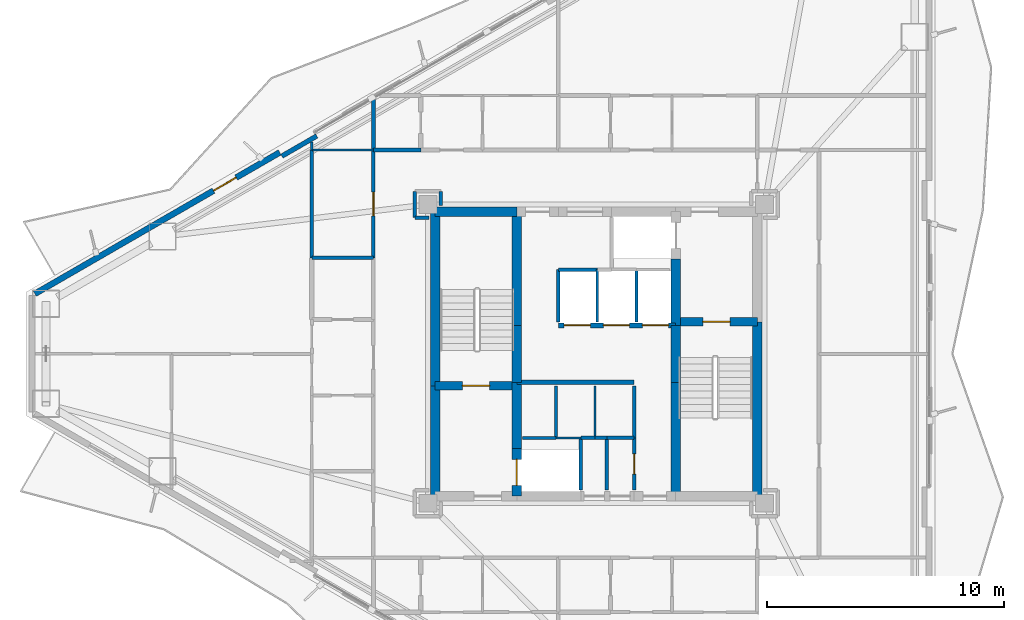
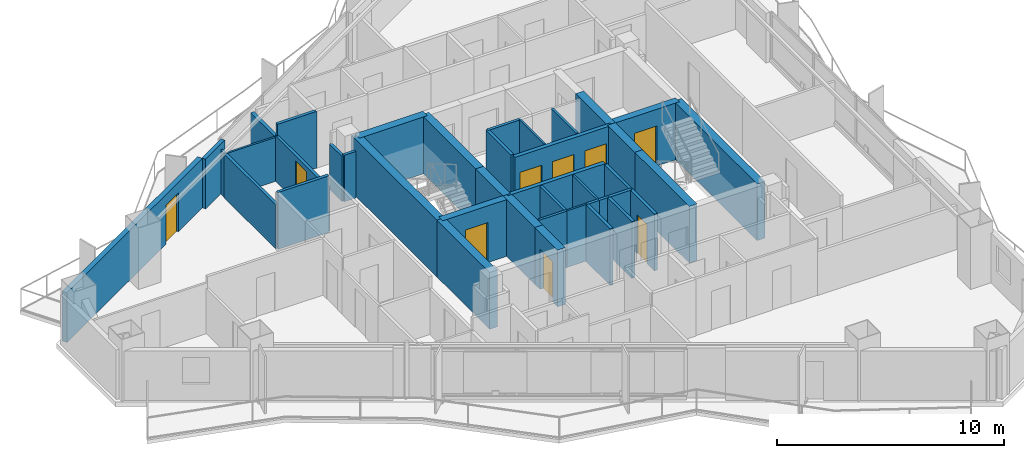
# One storey, part 17 of 22: 42 walls, 9 doors, 9 openings.
"""IFC4 building model written with IfcOpenShell, lengths in metres."""

import ifcopenshell
import ifcopenshell.guid

model = None  # the IFC model being written
_history = None  # IfcOwnerHistory: only IFC2X3 demands one
_inside = {}  # id of a spatial element -> (the spatial element, [elements in it])
_under = {}  # id of a project, library or spatial element -> (it, [spatial elements below it])
_declared = {}  # id of a project -> (the project, [libraries it declares])
_typed = {}  # id of a type object -> (the type object, [elements of that type])
_made_of = {}  # id of a material, layer set ... -> (it, [elements and type objects made of it])


def new_model(schema):
    """Start an empty IFC model of exactly this schema.

    Asked for "IFC4X3", IfcOpenShell would pick the latest addendum, in which some entities
    have other attributes; the version numbers below select the first issue.
    IFC2X3 requires an IfcOwnerHistory on every rooted entity: one is made here for all.
    """
    global model, _history
    if schema == "IFC4X3":
        model = ifcopenshell.file(schema_version=(4, 3, 0, 0))
    else:
        model = ifcopenshell.file(schema=schema)
    _inside.clear()
    _under.clear()
    _declared.clear()
    _typed.clear()
    _made_of.clear()
    _history = None
    if model.schema == "IFC2X3":
        org = make("IfcOrganization", Name="unknown")
        user = make(
            "IfcPersonAndOrganization",
            ThePerson=make("IfcPerson", FamilyName="unknown"),
            TheOrganization=org,
        )
        app = make(
            "IfcApplication",
            ApplicationDeveloper=org,
            Version="unknown",
            ApplicationFullName="unknown",
            ApplicationIdentifier="unknown",
        )
        _history = make(
            "IfcOwnerHistory",
            OwningUser=user,
            OwningApplication=app,
            ChangeAction="ADDED",
            CreationDate=0,
        )
    return model


def make(cls, **values):
    """One entity of the class cls with the attributes given. An attribute that is None is left unset."""
    return model.create_entity(
        cls, **{name: value for name, value in values.items() if value is not None}
    )


def rooted(cls, **values):
    """An entity with a GlobalId (a new one), such as an element, a storey or a relation."""
    return make(cls, GlobalId=ifcopenshell.guid.new(), OwnerHistory=_history, **values)


def si_unit(unit_type, name, prefix=None):
    """IfcSIUnit, for example si_unit("LENGTHUNIT", "METRE", prefix="MILLI")."""
    return make("IfcSIUnit", UnitType=unit_type, Prefix=prefix, Name=name)


def assignment(units):
    """IfcUnitAssignment: the units of a project."""
    return None if units is None else make("IfcUnitAssignment", Units=units)


def point(xyz):
    """IfcCartesianPoint."""
    return None if xyz is None else make("IfcCartesianPoint", Coordinates=xyz)


def direction(xyz):
    """IfcDirection."""
    return None if xyz is None else make("IfcDirection", DirectionRatios=xyz)


def frame(location, z_axis=None, x_axis=None):
    """IfcAxis2Placement3D, a coordinate frame: its origin and axes. An axis left out is left unset."""
    return make(
        "IfcAxis2Placement3D",
        Location=point(location),
        Axis=direction(z_axis),
        RefDirection=direction(x_axis),
    )


def frame_2d(location, x_axis=None):
    """IfcAxis2Placement2D, a coordinate frame in the plane: its origin and x axis."""
    return make(
        "IfcAxis2Placement2D", Location=point(location), RefDirection=direction(x_axis)
    )


def origin():
    """The frame at (0, 0, 0) with its axes left unset."""
    return frame((0.0, 0.0, 0.0))


def place(relative_to, where):
    """IfcLocalPlacement: puts the frame where relative to a parent placement (None: the world)."""
    return make(
        "IfcLocalPlacement", PlacementRelTo=relative_to, RelativePlacement=where
    )


def context(
    kind, dimensions, precision=None, world=None, true_north=None, identifier=None
):
    """IfcGeometricRepresentationContext, for example the 3D "Model" context."""
    return make(
        "IfcGeometricRepresentationContext",
        ContextIdentifier=identifier,
        ContextType=kind,
        CoordinateSpaceDimension=dimensions,
        Precision=precision,
        WorldCoordinateSystem=world,
        TrueNorth=true_north,
    )


def subcontext(parent, identifier, kind, view, scale=None):
    """IfcGeometricRepresentationSubContext, for example "Body" below "Model"."""
    return make(
        "IfcGeometricRepresentationSubContext",
        ContextIdentifier=identifier,
        ContextType=kind,
        ParentContext=parent,
        TargetScale=scale,
        TargetView=view,
    )


def project(units=None, contexts=None):
    """IfcProject with its units and contexts."""
    return rooted(
        "IfcProject",
        Name="project",
        RepresentationContexts=contexts,
        UnitsInContext=assignment(units),
    )


def spatial(cls, under=None, at=None, **own):
    """A site, building, storey or space (cls), placed at a placement, below another one or the project."""
    s = rooted(cls, ObjectPlacement=at, **own)
    if under is not None:
        _under.setdefault(under.id(), (under, []))[1].append(s)
    return s


def profile(cls, at=None, kind="AREA", **sizes):
    """A parametric profile (cls). Its sizes go by their IFC names, for example OverallWidth=200.0."""
    return make(cls, ProfileType=kind, Position=at, **sizes)


def rectangle(**sizes):
    """IfcRectangleProfileDef."""
    return profile("IfcRectangleProfileDef", **sizes)


def extrude(swept, where, along, depth):
    """IfcExtrudedAreaSolid: the profile swept, set in the frame where, extruded along a direction by depth."""
    return make(
        "IfcExtrudedAreaSolid",
        SweptArea=swept,
        Position=where,
        ExtrudedDirection=direction(along),
        Depth=depth,
    )


def shape(context_of_items, identifier, shape_type, items):
    """IfcShapeRepresentation: the items that make up one representation, for example the "Body"."""
    return make(
        "IfcShapeRepresentation",
        ContextOfItems=context_of_items,
        RepresentationIdentifier=identifier,
        RepresentationType=shape_type,
        Items=items,
    )


def material(Name=None, Category=None):
    """IfcMaterial."""
    return make("IfcMaterial", Name=Name, Category=Category)


def layer(
    of_material, thickness, ventilated=None, Name=None, Category=None, Priority=None
):
    """IfcMaterialLayer: one layer of a wall or slab, of a material (None: an air gap)."""
    return make(
        "IfcMaterialLayer",
        Material=of_material,
        LayerThickness=thickness,
        IsVentilated=ventilated,
        Name=Name,
        Category=Category,
        Priority=Priority,
    )


def layer_set(layers, Name=None):
    """IfcMaterialLayerSet."""
    return make("IfcMaterialLayerSet", MaterialLayers=layers, LayerSetName=Name)


def made_of(thing, what):
    """Note that an element or type object is made of a material, layer set ...; save() writes the relation."""
    if what is not None:
        _made_of.setdefault(what.id(), (what, []))[1].append(thing)
    return thing


def type_object(cls, material=None, **own):
    """A type object (cls), such as IfcWallType, which elements share."""
    return made_of(rooted(cls, **own), material)


def element(
    cls,
    number,
    at=None,
    inside=None,
    cuts=None,
    type_object=None,
    material=None,
    context=None,
    identifier="Body",
    shape_type=None,
    held_by="IfcProductDefinitionShape",
    body=None,
    shapes=None,
    **own,
):
    """One element of the class cls, such as IfcWall. Its Tag is "e" and its number.

    at: its placement. inside: the storey or other place that contains it. cuts: it is an
    opening in that element (IfcRelVoidsElement). A single representation is given by context,
    identifier, shape_type and body (its items); several are given by shapes. held_by: the class
    of the entity that holds the representations. save() writes the other relations.
    """
    e = rooted(cls, Tag="e%d" % number, ObjectPlacement=at, **own)
    if body is not None:
        shapes = [shape(context, identifier, shape_type, body)]
    if shapes is not None:
        e.Representation = make(held_by, Representations=shapes)
    if inside is not None:
        _inside.setdefault(inside.id(), (inside, []))[1].append(e)
    if cuts is not None:
        rooted(
            "IfcRelVoidsElement", RelatingBuildingElement=cuts, RelatedOpeningElement=e
        )
    if type_object is not None:
        _typed.setdefault(type_object.id(), (type_object, []))[1].append(e)
    return made_of(e, material)


def fill(opening, filler):
    """IfcRelFillsElement: the door or window that sits in an opening."""
    return rooted(
        "IfcRelFillsElement",
        RelatingOpeningElement=opening,
        RelatedBuildingElement=filler,
    )


def aggregate(whole, parts):
    """IfcRelAggregates: a whole, such as a stair, and the parts it consists of."""
    return rooted("IfcRelAggregates", RelatingObject=whole, RelatedObjects=parts)


def save(model, path):
    """Write the relations noted so far, then the file.

    IfcRelAggregates (storeys below a building ...), IfcRelContainedInSpatialStructure (elements
    in a storey), IfcRelDefinesByType, IfcRelAssociatesMaterial and IfcRelDeclares: one each for
    every whole, place, type object, material and project.
    """
    for whole, parts in _under.values():
        aggregate(whole, parts)
    for where, things in _inside.values():
        rooted(
            "IfcRelContainedInSpatialStructure",
            RelatedElements=things,
            RelatingStructure=where,
        )
    for kind, things in _typed.values():
        rooted("IfcRelDefinesByType", RelatedObjects=things, RelatingType=kind)
    for what, things in _made_of.values():
        rooted("IfcRelAssociatesMaterial", RelatedObjects=things, RelatingMaterial=what)
    for by, libraries in _declared.values():
        rooted("IfcRelDeclares", RelatingContext=by, RelatedDefinitions=libraries)
    model.write(path)


model = new_model("IFC4")

# Units and contexts
model_context = context("Model", 3, precision=1e-05, world=origin(), true_north=direction((0.0, 1.0)))
body_context = subcontext(model_context, "Body", "Model", "MODEL_VIEW")
ifc_project = project(units=[si_unit("LENGTHUNIT", "METRE"), si_unit("AREAUNIT", "SQUARE_METRE"), si_unit("VOLUMEUNIT", "CUBIC_METRE"), si_unit("PLANEANGLEUNIT", "RADIAN"), si_unit("MASSUNIT", "GRAM", prefix="KILO")], contexts=[model_context])

# Site, building, storey
site_placement = place(None, origin())
site = spatial("IfcSite", under=ifc_project, at=site_placement, CompositionType="ELEMENT")
building_placement = place(site_placement, origin())
building = spatial("IfcBuilding", under=site, at=building_placement, Name="Mersakhor Tower and Convention Hall", CompositionType="ELEMENT")
storey_placement = place(building_placement, frame((0.0, 0.0, 99.89990234375)))
storey = spatial("IfcBuildingStorey", under=building, at=storey_placement, Name="L27", CompositionType="ELEMENT", Elevation=99.89990234375)

# Wall, opening, door
ifc_material_1 = material(Name="Precast concrete C40/50", Category="concrete")
ifc_layer_1 = layer(ifc_material_1, 0.25)
ifc_layer_set_1 = layer_set([ifc_layer_1], Name="Precast concrete C40/50")
wall_type_1 = type_object("IfcWallType", Name="WL-EXT-250", PredefinedType="SOLIDWALL", material=ifc_layer_set_1)
wall_1_placement = place(storey_placement, frame((5.316650390625, 29.2822265625, 0.0), z_axis=(0.0, 0.0, 1.0), x_axis=(0.866023023012, 0.500004123596, 0.0)))
wall_1 = element("IfcWall", 1, at=wall_1_placement, inside=storey, type_object=wall_type_1, Name="L27 Exterior Facade Wall F1-B1", PredefinedType="SOLIDWALL", context=body_context, shape_type="SweptSolid", body=[
    extrude(rectangle(XDim=11.9296875, YDim=0.25, at=frame_2d((5.96484375, 0.0))), origin(), (0.0, 0.0, 1.0), 2.670166015625),
])
opening_1_placement = place(wall_1_placement, frame((8.7041015625, 0.0, 0.0)))
opening_1 = element("IfcOpeningElement", 2, at=opening_1_placement, cuts=wall_1, Name="Opening BD-02", PredefinedType="OPENING", context=body_context, shape_type="SweptSolid", body=[
    extrude(rectangle(XDim=1.10009765625, YDim=2.10009765625, at=frame_2d((0.550048828125, 1.050048828125))), frame((0.0, 0.135009765625, 0.0), z_axis=(0.0, -1.0, 0.0), x_axis=(1.0, 0.0, 0.0)), (0.0, 0.0, 1.0), 0.27001953125),
])
ifc_material_2 = material(Name="Thermally broken dark aluminium and safety glass", Category="aluminium")
door_type_1 = type_object("IfcDoorType", Name="DR-BAL-110x210", OperationType="NOTDEFINED", PredefinedType="DOOR", material=ifc_material_2)
door_1_placement = place(opening_1_placement, origin())
door_1 = element("IfcDoor", 3, at=door_1_placement, inside=storey, type_object=door_type_1, Name="L27 Balcony Terrace Door F1-B1", OperationType="SINGLE_SWING_RIGHT", OverallHeight=2.10009765625, OverallWidth=1.10009765625, PredefinedType="DOOR", context=body_context, shape_type="SweptSolid", body=[
    extrude(rectangle(XDim=1.10009765625, YDim=2.10009765625, at=frame_2d((0.550048828125, 1.050048828125))), frame((0.0, 0.02490234375, 0.0), z_axis=(0.0, -1.0, 0.0), x_axis=(1.0, 0.0, 0.0)), (0.0, 0.0, 1.0), 0.050048828125),
])
fill(opening_1, door_1)

# Walls
ifc_material_3 = material(Name="Precast concrete C40/50", Category="concrete")
ifc_layer_2 = layer(ifc_material_3, 0.199951171875)
ifc_layer_set_2 = layer_set([ifc_layer_2], Name="Precast concrete C40/50")
wall_type_2 = type_object("IfcWallType", Name="WL-PAR-200", PredefinedType="PARAPET", material=ifc_layer_set_2)
wall_2_placement = place(storey_placement, frame((15.73779296875, 35.091064453125, 0.0), z_axis=(0.0, 0.0, 1.0), x_axis=(0.866025371046, 0.500000056704, 0.0)))
element("IfcWall", 4, at=wall_2_placement, inside=storey, type_object=wall_type_2, Name="L27 Column Pier Cladding Wall F1-C1", PredefinedType="PARAPET", context=body_context, shape_type="SweptSolid", body=[
    extrude(rectangle(XDim=1.7001953125, YDim=0.199951171875, at=frame_2d((0.85009765625, 0.0))), origin(), (0.0, 0.0, 1.0), 2.670166015625),
])
ifc_material_4 = material(Name="Moisture-resistant acoustic drywall studwork", Category="other")
ifc_layer_3 = layer(ifc_material_4, 0.175048828125)
ifc_layer_set_3 = layer_set([ifc_layer_3], Name="Moisture-resistant acoustic drywall studwork")
wall_type_3 = type_object("IfcWallType", Name="WL-PLM-175", PredefinedType="PLUMBINGWALL", material=ifc_layer_set_3)
wall_3_placement = place(storey_placement, frame((19.60009765625, 35.35009765625, 0.0), z_axis=(0.0, 0.0, 1.0), x_axis=(0.0, 1.0, 0.0)))
element("IfcWall", 5, at=wall_3_placement, inside=storey, type_object=wall_type_3, Name="L27 Interior Partition Wall P-076", PredefinedType="PLUMBINGWALL", context=body_context, shape_type="SweptSolid", body=[
    extrude(rectangle(XDim=2.136962890625, YDim=0.175048828125, at=frame_2d((1.068359375, 0.0))), origin(), (0.0, 0.0, 1.0), 2.364990234375),
])
ifc_material_5 = material(Name="Lightweight gypsum partition", Category="other")
ifc_layer_4 = layer(ifc_material_5, 0.10009765625)
ifc_layer_set_4 = layer_set([ifc_layer_4], Name="Lightweight gypsum partition")
wall_type_4 = type_object("IfcWallType", Name="WL-PRT-100", PredefinedType="PARTITIONING", material=ifc_layer_set_4)
wall_4_placement = place(storey_placement, frame((27.300048828125, 23.199951171875, 0.0), z_axis=(0.0, 0.0, 1.0), x_axis=(1.0, 0.0, 0.0)))
element("IfcWall", 6, at=wall_4_placement, inside=storey, type_object=wall_type_4, Name="L27 Interior Partition Wall P-002", PredefinedType="PARTITIONING", context=body_context, shape_type="SweptSolid", body=[
    extrude(rectangle(XDim=1.050048828125, YDim=0.10009765625, at=frame_2d((0.52490234375, 0.0))), origin(), (0.0, 0.0, 1.0), 3.050048828125),
])
for number, where, z_axis, x_axis, name in (
    (7, (28.949951171875, 25.39990234375, 0.0), (0.0, 0.0, 1.0), (0.0, -1.0, 0.0), "L27 Interior Partition Wall P-008"),
    (8, (29.050048828125, 30.300048828125, 0.0), (0.0, 0.0, 1.0), (0.0, -1.0, 0.0), "L27 Interior Partition Wall P-014"),
):
    element("IfcWall", number, at=place(storey_placement, frame(where, z_axis=z_axis, x_axis=x_axis)), inside=storey, type_object=wall_type_4, Name=name, PredefinedType="PARTITIONING", context=body_context, shape_type="SweptSolid", body=[
        extrude(rectangle(XDim=2.199951171875, YDim=0.10009765625, at=frame_2d((1.10009765625, 0.0))), origin(), (0.0, 0.0, 1.0), 3.050048828125),
    ])
wall_5_placement = place(storey_placement, frame((17.0, 35.35009765625, 0.0), z_axis=(0.0, 0.0, 1.0), x_axis=(1.0, 0.0, 0.0)))
element("IfcWall", 9, at=wall_5_placement, inside=storey, type_object=wall_type_4, Name="L27 Interior Partition Wall P-100", PredefinedType="PARTITIONING", context=body_context, shape_type="SweptSolid", body=[
    extrude(rectangle(XDim=2.60009765625, YDim=0.10009765625, at=frame_2d((1.300048828125, 0.0))), origin(), (0.0, 0.0, 1.0), 2.364990234375),
])
wall_6_placement = place(storey_placement, frame((17.0, 35.676513671875, 0.0), z_axis=(0.0, 0.0, 1.0), x_axis=(0.0, -1.0, 0.0)))
element("IfcWall", 10, at=wall_6_placement, inside=storey, type_object=wall_type_4, Name="L27 Interior Partition Wall P-108", PredefinedType="PARTITIONING", context=body_context, shape_type="SweptSolid", body=[
    extrude(rectangle(XDim=0.326416015625, YDim=0.10009765625, at=frame_2d((0.1630859375, 0.0))), origin(), (0.0, 0.0, 1.0), 2.364990234375),
])
ifc_material_6 = material(Name="Gypsum board acoustic partition", Category="other")
ifc_layer_5 = layer(ifc_material_6, 0.125)
ifc_layer_set_5 = layer_set([ifc_layer_5], Name="Gypsum board acoustic partition")
wall_type_5 = type_object("IfcWallType", Name="WL-PRT-125", PredefinedType="PARTITIONING", material=ifc_layer_set_5)
wall_7_placement = place(storey_placement, frame((25.89990234375, 23.199951171875, 0.0), z_axis=(0.0, 0.0, 1.0), x_axis=(1.0, 0.0, 0.0)))
element("IfcWall", 11, at=wall_7_placement, inside=storey, type_object=wall_type_5, Name="L27 Interior Partition Wall P-001", PredefinedType="PARTITIONING", context=body_context, shape_type="SweptSolid", body=[
    extrude(rectangle(XDim=1.400146484375, YDim=0.125, at=frame_2d((0.7001953125, 0.0))), origin(), (0.0, 0.0, 1.0), 3.050048828125),
])
for number, where, z_axis, x_axis, name in (
    (12, (27.300048828125, 25.39990234375, 0.0), (0.0, 0.0, 1.0), (0.0, -1.0, 0.0), "L27 Interior Partition Wall P-007"),
    (13, (30.699951171875, 30.300048828125, 0.0), (0.0, 0.0, 1.0), (0.0, -1.0, 0.0), "L27 Interior Partition Wall P-017"),
):
    element("IfcWall", number, at=place(storey_placement, frame(where, z_axis=z_axis, x_axis=x_axis)), inside=storey, type_object=wall_type_5, Name=name, PredefinedType="PARTITIONING", context=body_context, shape_type="SweptSolid", body=[
        extrude(rectangle(XDim=2.199951171875, YDim=0.125, at=frame_2d((1.10009765625, 0.0))), origin(), (0.0, 0.0, 1.0), 3.050048828125),
    ])
ifc_material_7 = material(Name="Fire-rated gypsum board stud partition", Category="other")
ifc_layer_6 = layer(ifc_material_7, 0.14990234375)
ifc_layer_set_6 = layer_set([ifc_layer_6], Name="Fire-rated gypsum board stud partition")
wall_type_6 = type_object("IfcWallType", Name="WL-PRT-150", PredefinedType="PARTITIONING", material=ifc_layer_set_6)
wall_8_placement = place(storey_placement, frame((28.35009765625, 23.199951171875, 0.0), z_axis=(0.0, 0.0, 1.0), x_axis=(0.0, -1.0, 0.0)))
element("IfcWall", 14, at=wall_8_placement, inside=storey, type_object=wall_type_6, Name="L27 Interior Partition Wall P-003", PredefinedType="PARTITIONING", context=body_context, shape_type="SweptSolid", body=[
    extrude(rectangle(XDim=2.199951171875, YDim=0.14990234375, at=frame_2d((1.10009765625, 0.0))), origin(), (0.0, 0.0, 1.0), 3.050048828125),
])
wall_9_placement = place(storey_placement, frame((28.949951171875, 23.199951171875, 0.0), z_axis=(0.0, 0.0, 1.0), x_axis=(-1.0, 0.0, 0.0)))
element("IfcWall", 15, at=wall_9_placement, inside=storey, type_object=wall_type_6, Name="L27 Interior Partition Wall P-009", PredefinedType="PARTITIONING", context=body_context, shape_type="SweptSolid", body=[
    extrude(rectangle(XDim=0.599853515625, YDim=0.14990234375, at=frame_2d((0.2998046875, 0.0))), origin(), (0.0, 0.0, 1.0), 3.050048828125),
])
wall_10_placement = place(storey_placement, frame((30.60009765625, 25.39990234375, 0.0), z_axis=(0.0, 0.0, 1.0), x_axis=(0.0, -1.0, 0.0)))
element("IfcWall", 16, at=wall_10_placement, inside=storey, type_object=wall_type_6, Name="L27 Interior Partition Wall P-010", PredefinedType="PARTITIONING", context=body_context, shape_type="SweptSolid", body=[
    extrude(rectangle(XDim=2.199951171875, YDim=0.14990234375, at=frame_2d((1.10009765625, 0.0))), origin(), (0.0, 0.0, 1.0), 3.050048828125),
])
wall_11_placement = place(storey_placement, frame((30.60009765625, 23.199951171875, 0.0), z_axis=(0.0, 0.0, 1.0), x_axis=(-1.0, 0.0, 0.0)))
element("IfcWall", 17, at=wall_11_placement, inside=storey, type_object=wall_type_6, Name="L27 Interior Partition Wall P-011", PredefinedType="PARTITIONING", context=body_context, shape_type="SweptSolid", body=[
    extrude(rectangle(XDim=1.150146484375, YDim=0.14990234375, at=frame_2d((0.5751953125, 0.0))), origin(), (0.0, 0.0, 1.0), 3.050048828125),
])
wall_12_placement = place(storey_placement, frame((29.449951171875, 23.199951171875, 0.0), z_axis=(0.0, 0.0, 1.0), x_axis=(-1.0, 0.0, 0.0)))
element("IfcWall", 18, at=wall_12_placement, inside=storey, type_object=wall_type_6, Name="L27 Interior Partition Wall P-012", PredefinedType="PARTITIONING", context=body_context, shape_type="SweptSolid", body=[
    extrude(rectangle(XDim=0.5, YDim=0.14990234375, at=frame_2d((0.25, 0.0))), origin(), (0.0, 0.0, 1.0), 3.050048828125),
])
wall_13_placement = place(storey_placement, frame((27.39990234375, 30.300048828125, 0.0), z_axis=(0.0, 0.0, 1.0), x_axis=(1.0, 0.0, 0.0)))
element("IfcWall", 19, at=wall_13_placement, inside=storey, type_object=wall_type_6, Name="L27 Interior Partition Wall P-013", PredefinedType="PARTITIONING", context=body_context, shape_type="SweptSolid", body=[
    extrude(rectangle(XDim=1.650146484375, YDim=0.14990234375, at=frame_2d((0.8251953125, 0.0))), origin(), (0.0, 0.0, 1.0), 3.050048828125),
])
wall_14_placement = place(storey_placement, frame((27.39990234375, 28.10009765625, 0.0), z_axis=(0.0, 0.0, 1.0), x_axis=(0.0, 1.0, 0.0)))
element("IfcWall", 20, at=wall_14_placement, inside=storey, type_object=wall_type_6, Name="L27 Interior Partition Wall P-015", PredefinedType="PARTITIONING", context=body_context, shape_type="SweptSolid", body=[
    extrude(rectangle(XDim=2.199951171875, YDim=0.14990234375, at=frame_2d((1.10009765625, 0.0))), origin(), (0.0, 0.0, 1.0), 3.050048828125),
])

# Wall, opening, door
wall_15_placement = place(storey_placement, frame((30.60009765625, 21.0, 0.0), z_axis=(0.0, 0.0, 1.0), x_axis=(0.0, 1.0, 0.0)))
wall_15 = element("IfcWall", 21, at=wall_15_placement, inside=storey, type_object=wall_type_6, Name="L27 Interior Partition Wall P-018", PredefinedType="PARTITIONING", context=body_context, shape_type="SweptSolid", body=[
    extrude(rectangle(XDim=2.199951171875, YDim=0.14990234375, at=frame_2d((1.10009765625, 0.0))), origin(), (0.0, 0.0, 1.0), 3.050048828125),
])
opening_2_placement = place(wall_15_placement, frame((0.675048828125, 0.0, 0.0)))
opening_2 = element("IfcOpeningElement", 22, at=opening_2_placement, cuts=wall_15, Name="Opening SVD-01", PredefinedType="OPENING", context=body_context, shape_type="SweptSolid", body=[
    extrude(rectangle(XDim=0.85009765625, YDim=2.10009765625, at=frame_2d((0.425048828125, 1.050048828125))), frame((0.0, 0.0849609375, 0.0), z_axis=(0.0, -1.0, 0.0), x_axis=(1.0, 0.0, 0.0)), (0.0, 0.0, 1.0), 0.169921875),
])
ifc_material_8 = material(Name="Fire-rated hardwood leaf and painted steel frame", Category="steel")
door_type_2 = type_object("IfcDoorType", Name="DR-INT-SVC-085x210", OperationType="NOTDEFINED", PredefinedType="DOOR", material=ifc_material_8)
door_2_placement = place(opening_2_placement, origin())
door_2 = element("IfcDoor", 23, at=door_2_placement, inside=storey, type_object=door_type_2, Name="L27 Central Passenger Lift Lobby to Core Maintenance Store Room Door", OperationType="SINGLE_SWING_LEFT", OverallHeight=2.10009765625, OverallWidth=0.85009765625, PredefinedType="DOOR", context=body_context, shape_type="SweptSolid", body=[
    extrude(rectangle(XDim=0.85009765625, YDim=2.10009765625, at=frame_2d((0.425048828125, 1.050048828125))), frame((0.0, 0.02490234375, 0.0), z_axis=(0.0, -1.0, 0.0), x_axis=(1.0, 0.0, 0.0)), (0.0, 0.0, 1.0), 0.050048828125),
])
fill(opening_2, door_2)

wall_16_placement = place(storey_placement, frame((19.60009765625, 30.800048828125, 0.0), z_axis=(0.0, 0.0, 1.0), x_axis=(0.0, 1.0, 0.0)))
wall_16 = element("IfcWall", 24, at=wall_16_placement, inside=storey, type_object=wall_type_6, Name="L27 Interior Partition Wall P-034", PredefinedType="PARTITIONING", context=body_context, shape_type="SweptSolid", body=[
    extrude(rectangle(XDim=4.550048828125, YDim=0.14990234375, at=frame_2d((2.27490234375, 0.0))), origin(), (0.0, 0.0, 1.0), 2.4228515625),
])
opening_3_placement = place(wall_16_placement, frame((1.77490234375, 0.0, 0.0)))
opening_3 = element("IfcOpeningElement", 25, at=opening_3_placement, cuts=wall_16, Name="Opening FD-01", PredefinedType="OPENING", context=body_context, shape_type="SweptSolid", body=[
    extrude(rectangle(XDim=1.0, YDim=2.14990234375, at=frame_2d((0.5, 1.074951171875))), frame((0.0, 0.0849609375, 0.0), z_axis=(0.0, -1.0, 0.0), x_axis=(1.0, 0.0, 0.0)), (0.0, 0.0, 1.0), 0.169921875),
])
ifc_material_9 = material(Name="Fire-rated hardwood leaf and painted steel frame", Category="steel")
door_type_3 = type_object("IfcDoorType", Name="DR-INT-FLT-100x215", OperationType="NOTDEFINED", PredefinedType="DOOR", material=ifc_material_9)
door_3_placement = place(opening_3_placement, origin())
door_3 = element("IfcDoor", 26, at=door_3_placement, inside=storey, type_object=door_type_3, Name="L27 Residential Ring Corridor to L27 West Wing Shared Study Room Door", OperationType="SINGLE_SWING_LEFT", OverallHeight=2.14990234375, OverallWidth=1.0, PredefinedType="DOOR", context=body_context, shape_type="SweptSolid", body=[
    extrude(rectangle(XDim=1.0, YDim=2.14990234375, at=frame_2d((0.5, 1.074951171875))), frame((0.0, 0.02490234375, 0.0), z_axis=(0.0, -1.0, 0.0), x_axis=(1.0, 0.0, 0.0)), (0.0, 0.0, 1.0), 0.050048828125),
])
fill(opening_3, door_3)

# Walls
wall_17_placement = place(storey_placement, frame((19.60009765625, 35.35009765625, 0.0), z_axis=(0.0, 0.0, 1.0), x_axis=(1.0, 0.0, 0.0)))
element("IfcWall", 27, at=wall_17_placement, inside=storey, type_object=wall_type_6, Name="L27 Interior Partition Wall P-035", PredefinedType="PARTITIONING", context=body_context, shape_type="SweptSolid", body=[
    extrude(rectangle(XDim=2.0, YDim=0.14990234375, at=frame_2d((1.0, 0.0))), origin(), (0.0, 0.0, 1.0), 3.050048828125),
])
wall_18_placement = place(storey_placement, frame((22.449951171875, 33.0, 0.0), z_axis=(0.0, 0.0, 1.0), x_axis=(0.0, 1.0, 0.0)))
element("IfcWall", 28, at=wall_18_placement, inside=storey, type_object=wall_type_6, Name="L27 Interior Partition Wall P-044", PredefinedType="PARTITIONING", context=body_context, shape_type="SweptSolid", body=[
    extrude(rectangle(XDim=0.60009765625, YDim=0.14990234375, at=frame_2d((0.300048828125, 0.0))), origin(), (0.0, 0.0, 1.0), 2.498291015625),
])
wall_19_placement = place(storey_placement, frame((21.35009765625, 33.60009765625, 0.0), z_axis=(0.0, 0.0, 1.0), x_axis=(0.0, -1.0, 0.0)))
element("IfcWall", 29, at=wall_19_placement, inside=storey, type_object=wall_type_6, Name="L27 Interior Partition Wall P-046", PredefinedType="PARTITIONING", context=body_context, shape_type="SweptSolid", body=[
    extrude(rectangle(XDim=1.10009765625, YDim=0.14990234375, at=frame_2d((0.550048828125, 0.0))), origin(), (0.0, 0.0, 1.0), 2.4228515625),
])
wall_20_placement = place(storey_placement, frame((21.35009765625, 32.5, 0.0), z_axis=(0.0, 0.0, 1.0), x_axis=(1.0, 0.0, 0.0)))
element("IfcWall", 30, at=wall_20_placement, inside=storey, type_object=wall_type_6, Name="L27 Interior Partition Wall P-047", PredefinedType="PARTITIONING", context=body_context, shape_type="SweptSolid", body=[
    extrude(rectangle(XDim=0.599853515625, YDim=0.14990234375, at=frame_2d((0.2998046875, 0.0))), origin(), (0.0, 0.0, 1.0), 2.498291015625),
])
wall_21_placement = place(storey_placement, frame((17.0, 30.800048828125, 0.0), z_axis=(0.0, 0.0, 1.0), x_axis=(1.0, 0.0, 0.0)))
element("IfcWall", 31, at=wall_21_placement, inside=storey, type_object=wall_type_6, Name="L27 Interior Partition Wall P-091", PredefinedType="PARTITIONING", context=body_context, shape_type="SweptSolid", body=[
    extrude(rectangle(XDim=2.60009765625, YDim=0.14990234375, at=frame_2d((1.300048828125, 0.0))), origin(), (0.0, 0.0, 1.0), 3.050048828125),
])
wall_22_placement = place(storey_placement, frame((29.449951171875, 23.199951171875, 0.0), z_axis=(0.0, 0.0, 1.0), x_axis=(0.0, -1.0, 0.0)))
element("IfcWall", 32, at=wall_22_placement, inside=storey, type_object=wall_type_6, Name="L27 Interior Partition Wall P-094", PredefinedType="PARTITIONING", context=body_context, shape_type="SweptSolid", body=[
    extrude(rectangle(XDim=2.199951171875, YDim=0.14990234375, at=frame_2d((1.10009765625, 0.0))), origin(), (0.0, 0.0, 1.0), 3.050048828125),
])
wall_23_placement = place(storey_placement, frame((17.0, 30.800048828125, 0.0), z_axis=(0.0, 0.0, 1.0), x_axis=(0.0, 1.0, 0.0)))
element("IfcWall", 33, at=wall_23_placement, inside=storey, type_object=wall_type_6, Name="L27 Interior Partition Wall P-099", PredefinedType="PARTITIONING", context=body_context, shape_type="SweptSolid", body=[
    extrude(rectangle(XDim=4.550048828125, YDim=0.14990234375, at=frame_2d((2.27490234375, 0.0))), origin(), (0.0, 0.0, 1.0), 2.364990234375),
])
ifc_material_10 = material(Name="Acoustic concrete blockwork and gypsum board", Category="masonry")
ifc_layer_7 = layer(ifc_material_10, 0.199951171875)
ifc_layer_set_7 = layer_set([ifc_layer_7], Name="Acoustic concrete blockwork and gypsum board")
wall_type_7 = type_object("IfcWallType", Name="WL-PRT-200", PredefinedType="PARTITIONING", material=ifc_layer_set_7)
wall_24_placement = place(storey_placement, frame((25.64990234375, 25.550048828125, 0.0), z_axis=(0.0, 0.0, 1.0), x_axis=(1.0, 0.0, 0.0)))
element("IfcWall", 34, at=wall_24_placement, inside=storey, type_object=wall_type_7, Name="L27 High-Rise Lift Bank Front Wall", PredefinedType="PARTITIONING", context=body_context, shape_type="SweptSolid", body=[
    extrude(rectangle(XDim=4.9501953125, YDim=0.199951171875, at=frame_2d((2.47509765625, 0.0))), origin(), (0.0, 0.0, 1.0), 3.050048828125),
])

# Wall, openings, doors
wall_25_placement = place(storey_placement, frame((27.39990234375, 27.949951171875, 0.0), z_axis=(0.0, 0.0, 1.0), x_axis=(1.0, 0.0, 0.0)))
wall_25 = element("IfcWall", 35, at=wall_25_placement, inside=storey, type_object=wall_type_7, Name="L27 Low-Rise Lift Bank Front Wall", PredefinedType="PARTITIONING", context=body_context, shape_type="SweptSolid", body=[
    extrude(rectangle(XDim=4.9501953125, YDim=0.199951171875, at=frame_2d((2.47509765625, 0.0))), origin(), (0.0, 0.0, 1.0), 3.050048828125),
])
opening_4_placement = place(wall_25_placement, frame((0.25, 0.0, 0.0)))
opening_4 = element("IfcOpeningElement", 36, at=opening_4_placement, cuts=wall_25, Name="Opening LD-P1", PredefinedType="OPENING", context=body_context, shape_type="SweptSolid", body=[
    extrude(rectangle(XDim=1.10009765625, YDim=2.14990234375, at=frame_2d((0.550048828125, 1.074951171875))), frame((0.0, 0.10986328125, 0.0), z_axis=(0.0, -1.0, 0.0), x_axis=(1.0, 0.0, 0.0)), (0.0, 0.0, 1.0), 0.219970703125),
])
opening_5_placement = place(wall_25_placement, frame((1.89990234375, 0.0, 0.0)))
opening_5 = element("IfcOpeningElement", 37, at=opening_5_placement, cuts=wall_25, Name="Opening LD-P2", PredefinedType="OPENING", context=body_context, shape_type="SweptSolid", body=[
    extrude(rectangle(XDim=1.10009765625, YDim=2.14990234375, at=frame_2d((0.550048828125, 1.074951171875))), frame((0.0, 0.10986328125, 0.0), z_axis=(0.0, -1.0, 0.0), x_axis=(1.0, 0.0, 0.0)), (0.0, 0.0, 1.0), 0.219970703125),
])
opening_6_placement = place(wall_25_placement, frame((3.550048828125, 0.0, 0.0)))
opening_6 = element("IfcOpeningElement", 38, at=opening_6_placement, cuts=wall_25, Name="Opening LD-P3", PredefinedType="OPENING", context=body_context, shape_type="SweptSolid", body=[
    extrude(rectangle(XDim=1.10009765625, YDim=2.14990234375, at=frame_2d((0.550048828125, 1.074951171875))), frame((0.0, 0.10986328125, 0.0), z_axis=(0.0, -1.0, 0.0), x_axis=(1.0, 0.0, 0.0)), (0.0, 0.0, 1.0), 0.219970703125),
])
ifc_material_11 = material(Name="Fire-rated brushed stainless steel sliding landing door", Category="steel")
door_type_4 = type_object("IfcDoorType", Name="DR-LIFT-SLD-110x215", OperationType="NOTDEFINED", PredefinedType="DOOR", material=ifc_material_11)
door_4_placement = place(opening_4_placement, origin())
door_4 = element("IfcDoor", 39, at=door_4_placement, inside=storey, type_object=door_type_4, Name="L27 Lift Landing Door LD-P1", OperationType="SLIDING_TO_LEFT", OverallHeight=2.14990234375, OverallWidth=1.10009765625, PredefinedType="DOOR", context=body_context, shape_type="SweptSolid", body=[
    extrude(rectangle(XDim=1.10009765625, YDim=2.14990234375, at=frame_2d((0.550048828125, 1.074951171875))), frame((0.0, 0.02490234375, 0.0), z_axis=(0.0, -1.0, 0.0), x_axis=(1.0, 0.0, 0.0)), (0.0, 0.0, 1.0), 0.050048828125),
])
fill(opening_4, door_4)
door_5_placement = place(opening_5_placement, origin())
door_5 = element("IfcDoor", 40, at=door_5_placement, inside=storey, type_object=door_type_4, Name="L27 Lift Landing Door LD-P2", OperationType="SLIDING_TO_LEFT", OverallHeight=2.14990234375, OverallWidth=1.10009765625, PredefinedType="DOOR", context=body_context, shape_type="SweptSolid", body=[
    extrude(rectangle(XDim=1.10009765625, YDim=2.14990234375, at=frame_2d((0.550048828125, 1.074951171875))), frame((0.0, 0.02490234375, 0.0), z_axis=(0.0, -1.0, 0.0), x_axis=(1.0, 0.0, 0.0)), (0.0, 0.0, 1.0), 0.050048828125),
])
fill(opening_5, door_5)
door_6_placement = place(opening_6_placement, origin())
door_6 = element("IfcDoor", 41, at=door_6_placement, inside=storey, type_object=door_type_4, Name="L27 Lift Landing Door LD-P3", OperationType="SLIDING_TO_LEFT", OverallHeight=2.14990234375, OverallWidth=1.10009765625, PredefinedType="DOOR", context=body_context, shape_type="SweptSolid", body=[
    extrude(rectangle(XDim=1.10009765625, YDim=2.14990234375, at=frame_2d((0.550048828125, 1.074951171875))), frame((0.0, 0.02490234375, 0.0), z_axis=(0.0, -1.0, 0.0), x_axis=(1.0, 0.0, 0.0)), (0.0, 0.0, 1.0), 0.050048828125),
])
fill(opening_6, door_6)

# Wall, opening, door
ifc_material_12 = material(Name="Concrete C50/60", Category="concrete")
ifc_layer_8 = layer(ifc_material_12, 0.35009765625)
ifc_layer_set_8 = layer_set([ifc_layer_8], Name="Concrete C50/60")
wall_type_8 = type_object("IfcWallType", Name="WL-SHR-350", PredefinedType="SHEAR", material=ifc_layer_set_8)
wall_26_placement = place(storey_placement, frame((22.199951171875, 25.39990234375, 0.0), z_axis=(0.0, 0.0, 1.0), x_axis=(1.0, 0.0, 0.0)))
wall_26 = element("IfcWall", 42, at=wall_26_placement, inside=storey, type_object=wall_type_8, Name="L27 Core Wall CS-ST1-S", PredefinedType="SHEAR", context=body_context, shape_type="SweptSolid", body=[
    extrude(rectangle(XDim=3.449951171875, YDim=0.35009765625, at=frame_2d((1.72509765625, 0.0))), origin(), (0.0, 0.0, 1.0), 3.050048828125),
])
opening_7_placement = place(wall_26_placement, frame((1.14990234375, 0.0, 0.0)))
opening_7 = element("IfcOpeningElement", 43, at=opening_7_placement, cuts=wall_26, Name="Opening SD-01", PredefinedType="OPENING", context=body_context, shape_type="SweptSolid", body=[
    extrude(rectangle(XDim=1.14990234375, YDim=2.14990234375, at=frame_2d((0.574951171875, 1.074951171875))), frame((0.0, 0.18505859375, 0.0), z_axis=(0.0, -1.0, 0.0), x_axis=(1.0, 0.0, 0.0)), (0.0, 0.0, 1.0), 0.3701171875),
])
ifc_material_13 = material(Name="Fire-rated hardwood leaf and painted steel frame", Category="steel")
door_type_5 = type_object("IfcDoorType", Name="DR-INT-STAIR-115x215", OperationType="NOTDEFINED", PredefinedType="DOOR", material=ifc_material_13)
door_7_placement = place(opening_7_placement, origin())
door_7 = element("IfcDoor", 44, at=door_7_placement, inside=storey, type_object=door_type_5, Name="L27 Exit Stair ST-1 Enclosure Door", OperationType="SINGLE_SWING_LEFT", OverallHeight=2.14990234375, OverallWidth=1.14990234375, PredefinedType="DOOR", context=body_context, shape_type="SweptSolid", body=[
    extrude(rectangle(XDim=1.14990234375, YDim=2.14990234375, at=frame_2d((0.574951171875, 1.074951171875))), frame((0.0, 0.02490234375, 0.0), z_axis=(0.0, -1.0, 0.0), x_axis=(1.0, 0.0, 0.0)), (0.0, 0.0, 1.0), 0.050048828125),
])
fill(opening_7, door_7)

wall_27_placement = place(storey_placement, frame((32.35009765625, 28.10009765625, 0.0), z_axis=(0.0, 0.0, 1.0), x_axis=(1.0, 0.0, 0.0)))
wall_27 = element("IfcWall", 45, at=wall_27_placement, inside=storey, type_object=wall_type_8, Name="L27 Core Wall CS-ST2-N", PredefinedType="SHEAR", context=body_context, shape_type="SweptSolid", body=[
    extrude(rectangle(XDim=3.449951171875, YDim=0.35009765625, at=frame_2d((1.72509765625, 0.0))), origin(), (0.0, 0.0, 1.0), 3.050048828125),
])
opening_8_placement = place(wall_27_placement, frame((1.14990234375, 0.0, 0.0)))
opening_8 = element("IfcOpeningElement", 46, at=opening_8_placement, cuts=wall_27, Name="Opening SD-01", PredefinedType="OPENING", context=body_context, shape_type="SweptSolid", body=[
    extrude(rectangle(XDim=1.14990234375, YDim=2.14990234375, at=frame_2d((0.574951171875, 1.074951171875))), frame((0.0, 0.18505859375, 0.0), z_axis=(0.0, -1.0, 0.0), x_axis=(1.0, 0.0, 0.0)), (0.0, 0.0, 1.0), 0.3701171875),
])
door_8_placement = place(opening_8_placement, origin())
door_8 = element("IfcDoor", 47, at=door_8_placement, inside=storey, type_object=door_type_5, Name="L27 Exit Stair ST-2 Enclosure Door", OperationType="SINGLE_SWING_RIGHT", OverallHeight=2.14990234375, OverallWidth=1.14990234375, PredefinedType="DOOR", context=body_context, shape_type="SweptSolid", body=[
    extrude(rectangle(XDim=1.14990234375, YDim=2.14990234375, at=frame_2d((0.574951171875, 1.074951171875))), frame((0.0, 0.02490234375, 0.0), z_axis=(0.0, -1.0, 0.0), x_axis=(1.0, 0.0, 0.0)), (0.0, 0.0, 1.0), 0.050048828125),
])
fill(opening_8, door_8)

# Walls
ifc_material_14 = material(Name="Concrete C60/75", Category="concrete")
ifc_layer_9 = layer(ifc_material_14, 0.39990234375)
ifc_layer_set_9 = layer_set([ifc_layer_9], Name="Concrete C60/75")
wall_type_9 = type_object("IfcWallType", Name="WL-SHR-400", PredefinedType="SHEAR", material=ifc_layer_set_9)
wall_28_placement = place(storey_placement, frame((22.199951171875, 20.75, 0.0), z_axis=(0.0, 0.0, 1.0), x_axis=(0.0, 1.0, 0.0)))
element("IfcWall", 48, at=wall_28_placement, inside=storey, type_object=wall_type_9, Name="L27 Core Wall CW-W1", PredefinedType="SHEAR", context=body_context, shape_type="SweptSolid", body=[
    extrude(rectangle(XDim=4.64990234375, YDim=0.39990234375, at=frame_2d((2.324951171875, 0.0))), origin(), (0.0, 0.0, 1.0), 3.050048828125),
])
wall_29_placement = place(storey_placement, frame((22.199951171875, 25.39990234375, 0.0), z_axis=(0.0, 0.0, 1.0), x_axis=(0.0, 1.0, 0.0)))
element("IfcWall", 49, at=wall_29_placement, inside=storey, type_object=wall_type_9, Name="L27 Core Wall CW-W2", PredefinedType="SHEAR", context=body_context, shape_type="SweptSolid", body=[
    extrude(rectangle(XDim=7.35009765625, YDim=0.39990234375, at=frame_2d((3.675048828125, 0.0))), origin(), (0.0, 0.0, 1.0), 3.050048828125),
])
wall_30_placement = place(storey_placement, frame((22.199951171875, 32.75, 0.0), z_axis=(0.0, 0.0, 1.0), x_axis=(1.0, 0.0, 0.0)))
element("IfcWall", 50, at=wall_30_placement, inside=storey, type_object=wall_type_9, Name="L27 Core Wall CW-N1", PredefinedType="SHEAR", context=body_context, shape_type="SweptSolid", body=[
    extrude(rectangle(XDim=3.449951171875, YDim=0.39990234375, at=frame_2d((1.72509765625, 0.0))), origin(), (0.0, 0.0, 1.0), 3.050048828125),
])
wall_31_placement = place(storey_placement, frame((35.800048828125, 28.10009765625, 0.0), z_axis=(0.0, 0.0, 1.0), x_axis=(0.0, -1.0, 0.0)))
element("IfcWall", 51, at=wall_31_placement, inside=storey, type_object=wall_type_9, Name="L27 Core Wall CW-E2", PredefinedType="SHEAR", context=body_context, shape_type="SweptSolid", body=[
    extrude(rectangle(XDim=7.35009765625, YDim=0.39990234375, at=frame_2d((3.675048828125, 0.0))), origin(), (0.0, 0.0, 1.0), 3.050048828125),
])

# Wall, opening, door
wall_32_placement = place(storey_placement, frame((25.64990234375, 20.75, 0.0), z_axis=(0.0, 0.0, 1.0), x_axis=(0.0, 1.0, 0.0)))
wall_32 = element("IfcWall", 52, at=wall_32_placement, inside=storey, type_object=wall_type_9, Name="L27 Core Wall CS-W-FFL", PredefinedType="SHEAR", context=body_context, shape_type="SweptSolid", body=[
    extrude(rectangle(XDim=2.0, YDim=0.39990234375, at=frame_2d((1.0, 0.0))), origin(), (0.0, 0.0, 1.0), 3.050048828125),
])
opening_9_placement = place(wall_32_placement, frame((0.449951171875, 0.0, 0.0)))
opening_9 = element("IfcOpeningElement", 53, at=opening_9_placement, cuts=wall_32, Name="Opening LD-FFL1", PredefinedType="OPENING", context=body_context, shape_type="SweptSolid", body=[
    extrude(rectangle(XDim=1.10009765625, YDim=2.14990234375, at=frame_2d((0.550048828125, 1.074951171875))), frame((0.0, 0.2099609375, 0.0), z_axis=(0.0, -1.0, 0.0), x_axis=(1.0, 0.0, 0.0)), (0.0, 0.0, 1.0), 0.419921875),
])
door_9_placement = place(opening_9_placement, origin())
door_9 = element("IfcDoor", 54, at=door_9_placement, inside=storey, type_object=door_type_4, Name="L27 Firefighting Lift Landing Door LD-FFL1", OperationType="SLIDING_TO_LEFT", OverallHeight=2.14990234375, OverallWidth=1.10009765625, PredefinedType="DOOR", context=body_context, shape_type="SweptSolid", body=[
    extrude(rectangle(XDim=1.10009765625, YDim=2.14990234375, at=frame_2d((0.550048828125, 1.074951171875))), frame((0.0, 0.02490234375, 0.0), z_axis=(0.0, -1.0, 0.0), x_axis=(1.0, 0.0, 0.0)), (0.0, 0.0, 1.0), 0.050048828125),
])
fill(opening_9, door_9)

# Walls
wall_33_placement = place(storey_placement, frame((25.64990234375, 22.75, 0.0), z_axis=(0.0, 0.0, 1.0), x_axis=(0.0, 1.0, 0.0)))
element("IfcWall", 55, at=wall_33_placement, inside=storey, type_object=wall_type_9, Name="L27 Core Wall CS-W-MID", PredefinedType="SHEAR", context=body_context, shape_type="SweptSolid", body=[
    extrude(rectangle(XDim=2.800048828125, YDim=0.39990234375, at=frame_2d((1.39990234375, 0.0))), origin(), (0.0, 0.0, 1.0), 3.050048828125),
])
wall_34_placement = place(storey_placement, frame((25.64990234375, 25.550048828125, 0.0), z_axis=(0.0, 0.0, 1.0), x_axis=(0.0, 1.0, 0.0)))
element("IfcWall", 56, at=wall_34_placement, inside=storey, type_object=wall_type_9, Name="L27 Core Wall CS-W-LOB", PredefinedType="SHEAR", context=body_context, shape_type="SweptSolid", body=[
    extrude(rectangle(XDim=2.39990234375, YDim=0.39990234375, at=frame_2d((1.199951171875, 0.0))), origin(), (0.0, 0.0, 1.0), 3.050048828125),
])
for number, where, z_axis, x_axis, name in (
    (57, (25.64990234375, 27.949951171875, 0.0), (0.0, 0.0, 1.0), (0.0, 1.0, 0.0), "L27 Core Wall CS-W-ST1"),
    (58, (32.35009765625, 20.75, 0.0), (0.0, 0.0, 1.0), (0.0, 1.0, 0.0), "L27 Core Wall CS-E-ST2"),
):
    element("IfcWall", number, at=place(storey_placement, frame(where, z_axis=z_axis, x_axis=x_axis)), inside=storey, type_object=wall_type_9, Name=name, PredefinedType="SHEAR", context=body_context, shape_type="SweptSolid", body=[
        extrude(rectangle(XDim=4.800048828125, YDim=0.39990234375, at=frame_2d((2.39990234375, 0.0))), origin(), (0.0, 0.0, 1.0), 3.050048828125),
    ])
wall_35_placement = place(storey_placement, frame((32.35009765625, 25.550048828125, 0.0), z_axis=(0.0, 0.0, 1.0), x_axis=(0.0, 1.0, 0.0)))
element("IfcWall", 59, at=wall_35_placement, inside=storey, type_object=wall_type_9, Name="L27 Core Wall CS-E-LOB", PredefinedType="SHEAR", context=body_context, shape_type="SweptSolid", body=[
    extrude(rectangle(XDim=2.39990234375, YDim=0.39990234375, at=frame_2d((1.199951171875, 0.0))), origin(), (0.0, 0.0, 1.0), 3.050048828125),
])
wall_36_placement = place(storey_placement, frame((32.35009765625, 27.949951171875, 0.0), z_axis=(0.0, 0.0, 1.0), x_axis=(0.0, 1.0, 0.0)))
element("IfcWall", 60, at=wall_36_placement, inside=storey, type_object=wall_type_9, Name="L27 Core Wall CS-E-MID", PredefinedType="SHEAR", context=body_context, shape_type="SweptSolid", body=[
    extrude(rectangle(XDim=2.800048828125, YDim=0.39990234375, at=frame_2d((1.39990234375, 0.0))), origin(), (0.0, 0.0, 1.0), 3.050048828125),
])

save(model, "model.ifc")
